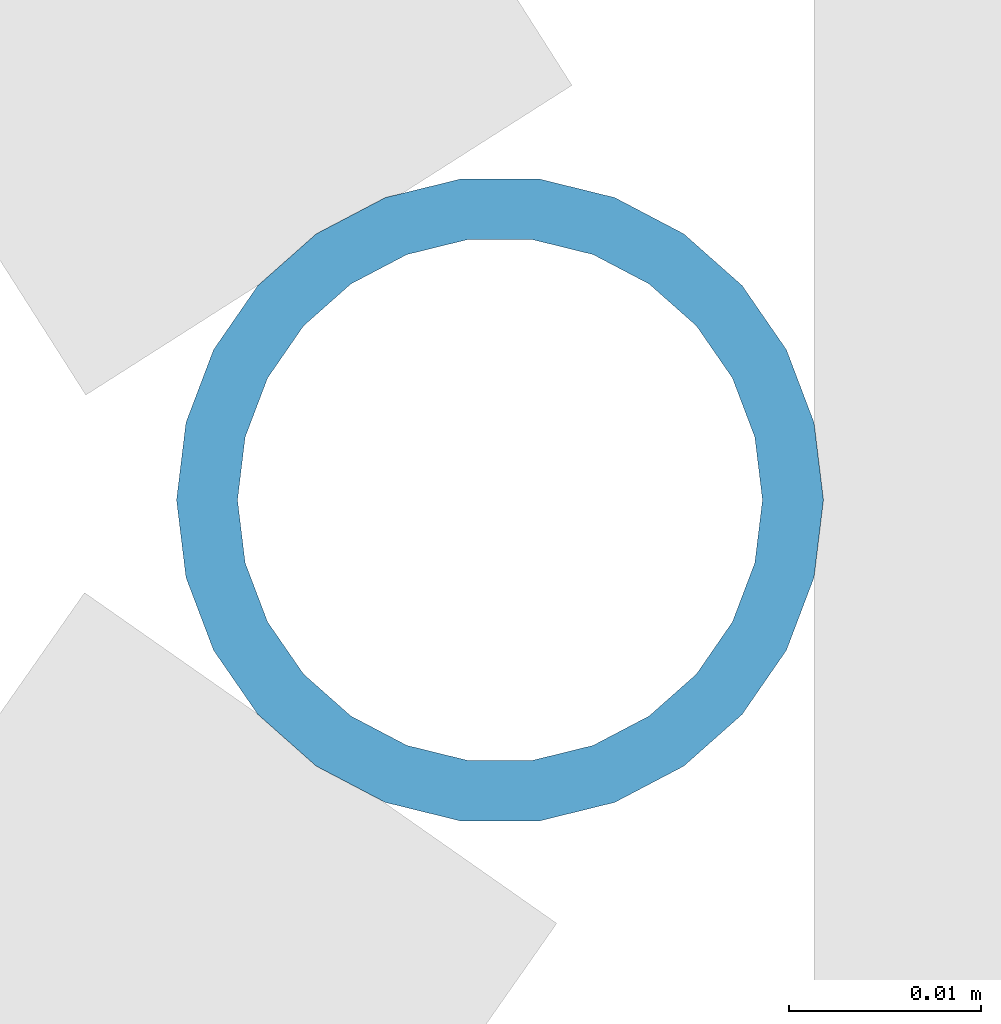
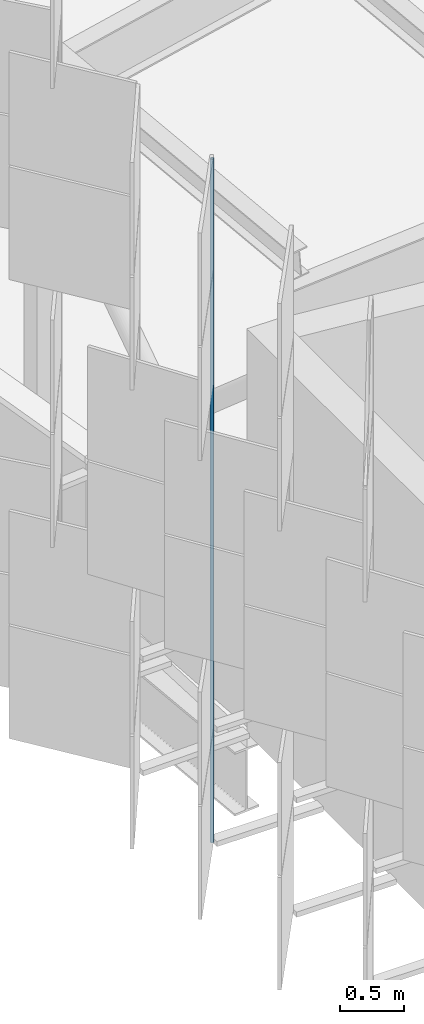
# One storey, part 199 of 483: 1 discrete accessory.
"""IFC4 building model written with IfcOpenShell, lengths in metres."""

from ifc_helpers import new_model, si_unit, direction, frame, origin, origin_2d, place, context, subcontext, project, spatial, hollow_circle, extrude, material, material_profile, profile_set, type_object, element, save


model = new_model("IFC4")

# Units and contexts
model_context = context("Model", 3, precision=1e-05, world=origin(), true_north=direction((0.0, 1.0)))
body_context = subcontext(model_context, "Body", "Model", "MODEL_VIEW")
ifc_project = project(units=[si_unit("LENGTHUNIT", "METRE"), si_unit("AREAUNIT", "SQUARE_METRE"), si_unit("VOLUMEUNIT", "CUBIC_METRE"), si_unit("PLANEANGLEUNIT", "RADIAN"), si_unit("MASSUNIT", "GRAM", prefix="KILO")], contexts=[model_context])

# Site, building, storey
site_placement = place(None, origin())
site = spatial("IfcSite", under=ifc_project, at=site_placement, CompositionType="ELEMENT")
building_placement = place(site_placement, origin())
building = spatial("IfcBuilding", under=site, at=building_placement, Name="Parallax Yard Mobility Hub", CompositionType="ELEMENT")
storey_placement = place(building_placement, frame((0.0, 0.0, 13.199951171875)))
storey = spatial("IfcBuildingStorey", under=building, at=storey_placement, Name="L04", CompositionType="ELEMENT", Elevation=13.199951171875)

# Discrete accessory
ifc_material = material(Name="Steel ASTM A500 Gr C, hot-dip galvanised", Category="steel")
ifc_material_profile = material_profile(ifc_material, hollow_circle(Radius=0.016845703125, WallThickness=0.003173828125, at=origin_2d()), Name="CHS 33.7x3.2")
ifc_profile_set = profile_set([ifc_material_profile], Name="Steel ASTM A500 Gr C, hot-dip galvanised")
discrete_accessory_type = type_object("IfcDiscreteAccessoryType", Name="Hinge post CHS 33.7x3.2", PredefinedType="BRACKET", material=ifc_profile_set)
discrete_accessory_placement = place(storey_placement, frame((194.019775390625, 88.849609375, 0.0), z_axis=(0.0, 0.0, 1.0), x_axis=(1.0, 0.0, 0.0)))
element("IfcDiscreteAccessory", 1, at=discrete_accessory_placement, inside=storey, type_object=discrete_accessory_type, Name="Hinge post bay 23.2 level L04", PredefinedType="BRACKET", context=body_context, shape_type="SweptSolid", body=[
    extrude(hollow_circle(Radius=0.016845703125, WallThickness=0.003173828125, at=origin_2d()), origin(), (0.0, 0.0, 1.0), 6.550048828125),
])

save(model, "model.ifc")
